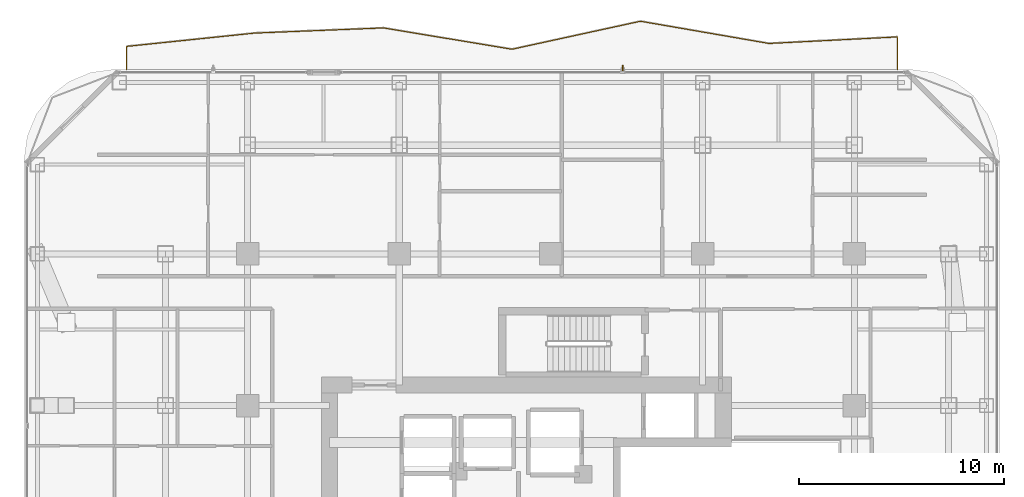
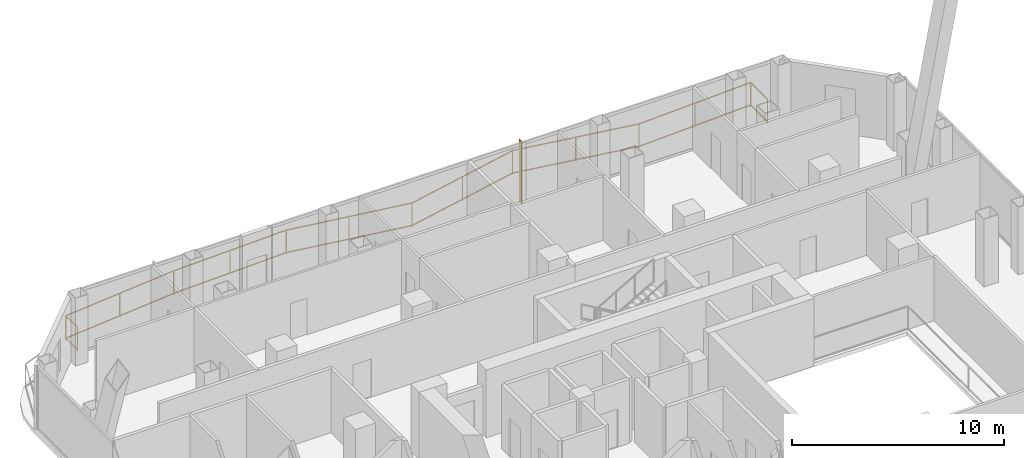
# One storey, part 33 of 34: 1 railing, 1 shading device.
"""IFC4 building model written with IfcOpenShell, lengths in metres."""

from ifc_helpers import new_model, si_unit, direction, frame, origin, origin_2d, place, context, subcontext, project, spatial, rectangle, extrude, material, layer, layer_set, type_object, element, save


model = new_model("IFC4")

# Units and contexts
model_context = context("Model", 3, precision=1e-05, world=origin(), true_north=direction((0.0, 1.0)))
body_context = subcontext(model_context, "Body", "Model", "MODEL_VIEW")
ifc_project = project(units=[si_unit("LENGTHUNIT", "METRE"), si_unit("AREAUNIT", "SQUARE_METRE"), si_unit("VOLUMEUNIT", "CUBIC_METRE"), si_unit("PLANEANGLEUNIT", "RADIAN"), si_unit("MASSUNIT", "GRAM", prefix="KILO")], contexts=[model_context])

# Site, building, storey
site_placement = place(None, origin())
site = spatial("IfcSite", under=ifc_project, at=site_placement, CompositionType="ELEMENT")
building_placement = place(site_placement, origin())
building = spatial("IfcBuilding", under=site, at=building_placement, Name="Khorvyn Point Tower", CompositionType="ELEMENT")
storey_placement = place(building_placement, frame((0.0, 0.0, 175.800048828125)))
storey = spatial("IfcBuildingStorey", under=building, at=storey_placement, Name="L43", CompositionType="ELEMENT", Elevation=175.800048828125)

# Railing
ifc_material_1 = material(Name="Anodised aluminium 6063-T6 and laminated safety glass", Category="aluminium")
railing_type = type_object("IfcRailingType", Name="Laminated Glass and Aluminium Balcony Guardrail 1400", PredefinedType="BALUSTRADE", material=ifc_material_1)
railing_placement = place(storey_placement, frame((16.89990234375, 23.800048828125, 0.0)))
element("IfcRailing", 1, at=railing_placement, inside=storey, type_object=railing_type, Name="L43 North Balcony Guardrail", PredefinedType="BALUSTRADE", context=body_context, shape_type="SweptSolid", body=[
    extrude(rectangle(XDim=0.048095703125, YDim=0.048095703125, at=origin_2d()), frame((0.0, 0.0, 1.3759765625), z_axis=(0.0, 1.0, 0.0), x_axis=(-1.0, 0.0, 0.0)), (0.0, 0.0, 1.0), 1.58154296875),
    extrude(rectangle(XDim=0.048095703125, YDim=0.048095703125, at=origin_2d()), frame((0.0, 0.0, 0.080078125), z_axis=(0.0, 1.0, 0.0), x_axis=(-1.0, 0.0, 0.0)), (0.0, 0.0, 1.0), 1.58154296875),
    extrude(rectangle(XDim=0.048095703125, YDim=0.048095703125, at=origin_2d()), frame((0.0, 1.58154296875, 1.3759765625), z_axis=(-0.998706121207, -0.050853549183, 0.0), x_axis=(0.050853549183, -0.998706121207, 0.0)), (0.0, 0.0, 1.0), 6.274658203125),
    extrude(rectangle(XDim=0.048095703125, YDim=0.048095703125, at=origin_2d()), frame((0.0, 1.58154296875, 0.080078125), z_axis=(-0.998706121207, -0.050853549183, 0.0), x_axis=(0.050853549183, -0.998706121207, 0.0)), (0.0, 0.0, 1.0), 6.274658203125),
    extrude(rectangle(XDim=0.048095703125, YDim=0.048095703125, at=origin_2d()), frame((-6.2666015625, 1.262451171875, 1.3759765625), z_axis=(-0.985353979217, 0.170521364177, 0.0), x_axis=(-0.170521364177, -0.985353979217, 0.0)), (0.0, 0.0, 1.0), 6.35986328125),
    extrude(rectangle(XDim=0.048095703125, YDim=0.048095703125, at=origin_2d()), frame((-6.2666015625, 1.262451171875, 0.080078125), z_axis=(-0.985353979217, 0.170521364177, 0.0), x_axis=(-0.170521364177, -0.985353979217, 0.0)), (0.0, 0.0, 1.0), 6.35986328125),
    extrude(rectangle(XDim=0.048095703125, YDim=0.048095703125, at=origin_2d()), frame((-12.533203125, 2.346923828125, 1.3759765625), z_axis=(-0.977049765943, -0.213011161377, 0.0), x_axis=(0.213011161377, -0.977049765943, 0.0)), (0.0, 0.0, 1.0), 6.413818359375),
    extrude(rectangle(XDim=0.048095703125, YDim=0.048095703125, at=origin_2d()), frame((-12.533203125, 2.346923828125, 0.080078125), z_axis=(-0.977049765943, -0.213011161377, 0.0), x_axis=(0.213011161377, -0.977049765943, 0.0)), (0.0, 0.0, 1.0), 6.413818359375),
    extrude(rectangle(XDim=0.048095703125, YDim=0.048095703125, at=origin_2d()), frame((-18.7998046875, 0.980712890625, 1.3759765625), z_axis=(-0.986525523457, 0.163607431273, 0.0), x_axis=(-0.163607431273, -0.986525523457, 0.0)), (0.0, 0.0, 1.0), 6.3525390625),
    extrude(rectangle(XDim=0.048095703125, YDim=0.048095703125, at=origin_2d()), frame((-18.7998046875, 0.980712890625, 0.080078125), z_axis=(-0.986525523457, 0.163607431273, 0.0), x_axis=(-0.163607431273, -0.986525523457, 0.0)), (0.0, 0.0, 1.0), 6.3525390625),
    extrude(rectangle(XDim=0.048095703125, YDim=0.048095703125, at=origin_2d()), frame((-25.066650390625, 2.02001953125, 1.3759765625), z_axis=(-0.999209826541, -0.039745723582, 0.0), x_axis=(0.039745723582, -0.999209826541, 0.0)), (0.0, 0.0, 1.0), 6.271484375),
    extrude(rectangle(XDim=0.048095703125, YDim=0.048095703125, at=origin_2d()), frame((-25.066650390625, 2.02001953125, 0.080078125), z_axis=(-0.999209826541, -0.039745723582, 0.0), x_axis=(0.039745723582, -0.999209826541, 0.0)), (0.0, 0.0, 1.0), 6.271484375),
    extrude(rectangle(XDim=0.048095703125, YDim=0.048095703125, at=origin_2d()), frame((-31.333251953125, 1.770751953125, 1.3759765625), z_axis=(-0.99462938435, -0.103500665638, 0.0), x_axis=(0.103500665638, -0.99462938435, 0.0)), (0.0, 0.0, 1.0), 6.300537109375),
    extrude(rectangle(XDim=0.048095703125, YDim=0.048095703125, at=origin_2d()), frame((-31.333251953125, 1.770751953125, 0.080078125), z_axis=(-0.99462938435, -0.103500665638, 0.0), x_axis=(0.103500665638, -0.99462938435, 0.0)), (0.0, 0.0, 1.0), 6.300537109375),
    extrude(rectangle(XDim=0.048095703125, YDim=0.048095703125, at=origin_2d()), frame((-37.599853515625, 1.11865234375, 1.3759765625), z_axis=(0.0, -1.0, 0.0), x_axis=(1.0, 0.0, 0.0)), (0.0, 0.0, 1.0), 1.11865234375),
    extrude(rectangle(XDim=0.048095703125, YDim=0.048095703125, at=origin_2d()), frame((-37.599853515625, 1.11865234375, 0.080078125), z_axis=(0.0, -1.0, 0.0), x_axis=(1.0, 0.0, 0.0)), (0.0, 0.0, 1.0), 1.11865234375),
    extrude(rectangle(XDim=0.0419921875, YDim=0.0419921875, at=origin_2d()), origin(), (0.0, 0.0, 1.0), 1.351806640625),
    extrude(rectangle(XDim=0.0419921875, YDim=0.0419921875, at=origin_2d()), frame((0.0, 1.58154296875, 0.0)), (0.0, 0.0, 1.0), 1.351806640625),
    extrude(rectangle(XDim=0.0419921875, YDim=0.0419921875, at=origin_2d()), frame((-3.13330078125, 1.421875, 0.0)), (0.0, 0.0, 1.0), 1.351806640625),
    extrude(rectangle(XDim=0.0419921875, YDim=0.0419921875, at=origin_2d()), frame((-6.2666015625, 1.262451171875, 0.0)), (0.0, 0.0, 1.0), 1.351806640625),
    extrude(rectangle(XDim=0.0419921875, YDim=0.0419921875, at=origin_2d()), frame((-9.39990234375, 1.8046875, 0.0)), (0.0, 0.0, 1.0), 1.351806640625),
    extrude(rectangle(XDim=0.0419921875, YDim=0.0419921875, at=origin_2d()), frame((-12.533203125, 2.346923828125, 0.0)), (0.0, 0.0, 1.0), 1.351806640625),
    extrude(rectangle(XDim=0.0419921875, YDim=0.0419921875, at=origin_2d()), frame((-15.66650390625, 1.663818359375, 0.0)), (0.0, 0.0, 1.0), 1.351806640625),
    extrude(rectangle(XDim=0.0419921875, YDim=0.0419921875, at=origin_2d()), frame((-18.7998046875, 0.980712890625, 0.0)), (0.0, 0.0, 1.0), 1.351806640625),
    extrude(rectangle(XDim=0.0419921875, YDim=0.0419921875, at=origin_2d()), frame((-21.93310546875, 1.50048828125, 0.0)), (0.0, 0.0, 1.0), 1.351806640625),
    extrude(rectangle(XDim=0.0419921875, YDim=0.0419921875, at=origin_2d()), frame((-25.066650390625, 2.02001953125, 0.0)), (0.0, 0.0, 1.0), 1.351806640625),
    extrude(rectangle(XDim=0.0419921875, YDim=0.0419921875, at=origin_2d()), frame((-28.199951171875, 1.8955078125, 0.0)), (0.0, 0.0, 1.0), 1.351806640625),
    extrude(rectangle(XDim=0.0419921875, YDim=0.0419921875, at=origin_2d()), frame((-31.333251953125, 1.770751953125, 0.0)), (0.0, 0.0, 1.0), 1.351806640625),
    extrude(rectangle(XDim=0.0419921875, YDim=0.0419921875, at=origin_2d()), frame((-34.466552734375, 1.44482421875, 0.0)), (0.0, 0.0, 1.0), 1.351806640625),
    extrude(rectangle(XDim=0.0419921875, YDim=0.0419921875, at=origin_2d()), frame((-37.599853515625, 1.11865234375, 0.0)), (0.0, 0.0, 1.0), 1.351806640625),
    extrude(rectangle(XDim=0.0419921875, YDim=0.0419921875, at=origin_2d()), frame((-37.599853515625, 0.0, 0.0)), (0.0, 0.0, 1.0), 1.351806640625),
])

# Shading device
ifc_material_2 = material(Name="Pale anodised aluminium 6063-T6", Category="aluminium")
ifc_layer = layer(ifc_material_2, 0.054931640625)
ifc_layer_set = layer_set([ifc_layer], Name="Pale Anodised Aluminium FIN 260x55")
shading_device_type = type_object("IfcShadingDeviceType", Name="Pale Anodised Aluminium FIN 260x55", PredefinedType="USERDEFINED", material=ifc_layer_set)
shading_device_placement = place(storey_placement, frame((3.49658203125, 23.8701171875, 0.039794921875), z_axis=(0.0, 0.0, 1.0), x_axis=(0.0, 1.0, 0.0)))
element("IfcShadingDevice", 2, at=shading_device_placement, inside=storey, type_object=shading_device_type, Name="L43 Anodised FIN 01", ObjectType="FIN", PredefinedType="USERDEFINED", context=body_context, shape_type="SweptSolid", body=[
    extrude(rectangle(XDim=0.260009765625, YDim=0.054931640625, at=origin_2d()), origin(), (0.0, 0.0, 1.0), 3.60009765625),
])

save(model, "model.ifc")
